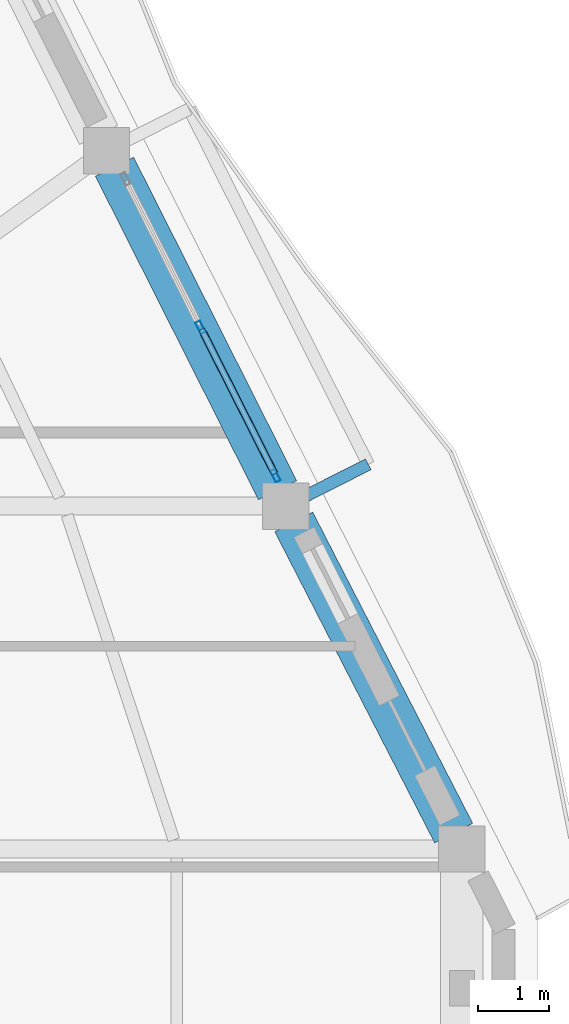
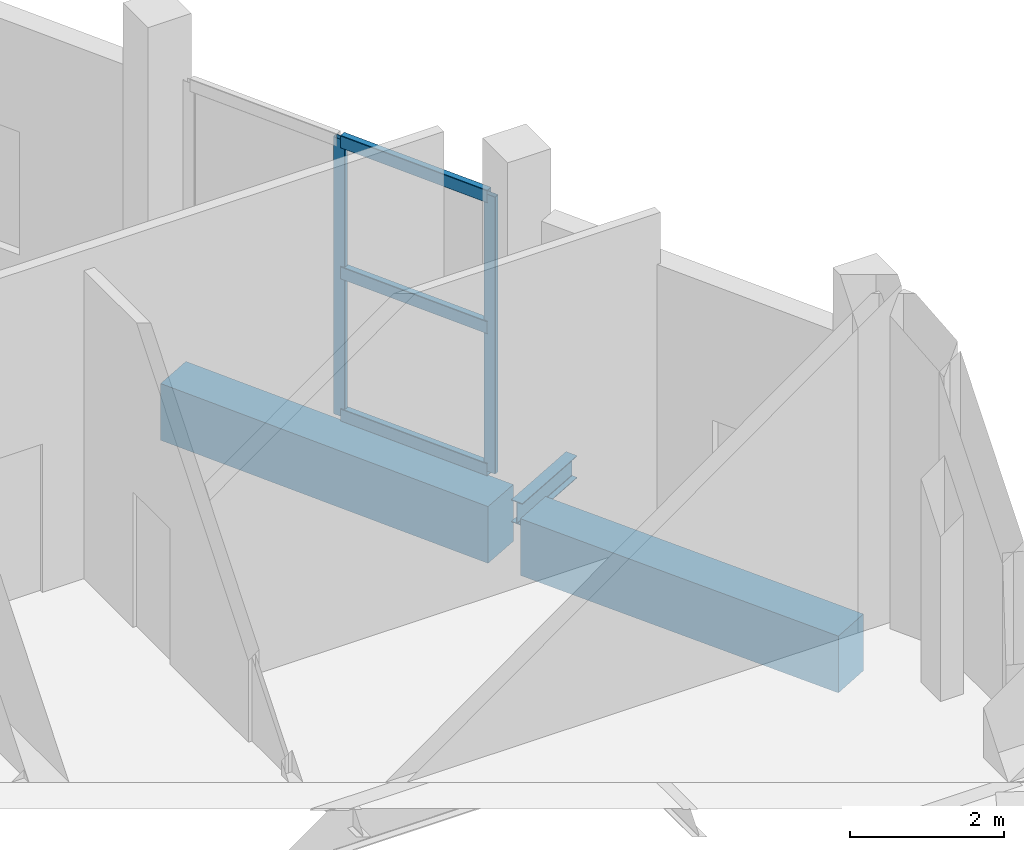
# One storey, part 12 of 23: 5 members, 3 beams, 1 element without a shape of its own.
"""IFC4 building model written with IfcOpenShell, lengths in metres."""

import ifcopenshell
import ifcopenshell.guid

model = None  # the IFC model being written
_history = None  # IfcOwnerHistory: only IFC2X3 demands one
_inside = {}  # id of a spatial element -> (the spatial element, [elements in it])
_under = {}  # id of a project, library or spatial element -> (it, [spatial elements below it])
_declared = {}  # id of a project -> (the project, [libraries it declares])
_typed = {}  # id of a type object -> (the type object, [elements of that type])
_made_of = {}  # id of a material, layer set ... -> (it, [elements and type objects made of it])


def new_model(schema):
    """Start an empty IFC model of exactly this schema.

    Asked for "IFC4X3", IfcOpenShell would pick the latest addendum, in which some entities
    have other attributes; the version numbers below select the first issue.
    IFC2X3 requires an IfcOwnerHistory on every rooted entity: one is made here for all.
    """
    global model, _history
    if schema == "IFC4X3":
        model = ifcopenshell.file(schema_version=(4, 3, 0, 0))
    else:
        model = ifcopenshell.file(schema=schema)
    _inside.clear()
    _under.clear()
    _declared.clear()
    _typed.clear()
    _made_of.clear()
    _history = None
    if model.schema == "IFC2X3":
        org = make("IfcOrganization", Name="unknown")
        user = make(
            "IfcPersonAndOrganization",
            ThePerson=make("IfcPerson", FamilyName="unknown"),
            TheOrganization=org,
        )
        app = make(
            "IfcApplication",
            ApplicationDeveloper=org,
            Version="unknown",
            ApplicationFullName="unknown",
            ApplicationIdentifier="unknown",
        )
        _history = make(
            "IfcOwnerHistory",
            OwningUser=user,
            OwningApplication=app,
            ChangeAction="ADDED",
            CreationDate=0,
        )
    return model


def make(cls, **values):
    """One entity of the class cls with the attributes given. An attribute that is None is left unset."""
    return model.create_entity(
        cls, **{name: value for name, value in values.items() if value is not None}
    )


def rooted(cls, **values):
    """An entity with a GlobalId (a new one), such as an element, a storey or a relation."""
    return make(cls, GlobalId=ifcopenshell.guid.new(), OwnerHistory=_history, **values)


def si_unit(unit_type, name, prefix=None):
    """IfcSIUnit, for example si_unit("LENGTHUNIT", "METRE", prefix="MILLI")."""
    return make("IfcSIUnit", UnitType=unit_type, Prefix=prefix, Name=name)


def assignment(units):
    """IfcUnitAssignment: the units of a project."""
    return None if units is None else make("IfcUnitAssignment", Units=units)


def point(xyz):
    """IfcCartesianPoint."""
    return None if xyz is None else make("IfcCartesianPoint", Coordinates=xyz)


def direction(xyz):
    """IfcDirection."""
    return None if xyz is None else make("IfcDirection", DirectionRatios=xyz)


def frame(location, z_axis=None, x_axis=None):
    """IfcAxis2Placement3D, a coordinate frame: its origin and axes. An axis left out is left unset."""
    return make(
        "IfcAxis2Placement3D",
        Location=point(location),
        Axis=direction(z_axis),
        RefDirection=direction(x_axis),
    )


def frame_2d(location, x_axis=None):
    """IfcAxis2Placement2D, a coordinate frame in the plane: its origin and x axis."""
    return make(
        "IfcAxis2Placement2D", Location=point(location), RefDirection=direction(x_axis)
    )


def origin():
    """The frame at (0, 0, 0) with its axes left unset."""
    return frame((0.0, 0.0, 0.0))


def origin_2d():
    """The frame at (0, 0) in the plane with its x axis left unset."""
    return frame_2d((0.0, 0.0))


def place(relative_to, where):
    """IfcLocalPlacement: puts the frame where relative to a parent placement (None: the world)."""
    return make(
        "IfcLocalPlacement", PlacementRelTo=relative_to, RelativePlacement=where
    )


def context(
    kind, dimensions, precision=None, world=None, true_north=None, identifier=None
):
    """IfcGeometricRepresentationContext, for example the 3D "Model" context."""
    return make(
        "IfcGeometricRepresentationContext",
        ContextIdentifier=identifier,
        ContextType=kind,
        CoordinateSpaceDimension=dimensions,
        Precision=precision,
        WorldCoordinateSystem=world,
        TrueNorth=true_north,
    )


def subcontext(parent, identifier, kind, view, scale=None):
    """IfcGeometricRepresentationSubContext, for example "Body" below "Model"."""
    return make(
        "IfcGeometricRepresentationSubContext",
        ContextIdentifier=identifier,
        ContextType=kind,
        ParentContext=parent,
        TargetScale=scale,
        TargetView=view,
    )


def project(units=None, contexts=None):
    """IfcProject with its units and contexts."""
    return rooted(
        "IfcProject",
        Name="project",
        RepresentationContexts=contexts,
        UnitsInContext=assignment(units),
    )


def spatial(cls, under=None, at=None, **own):
    """A site, building, storey or space (cls), placed at a placement, below another one or the project."""
    s = rooted(cls, ObjectPlacement=at, **own)
    if under is not None:
        _under.setdefault(under.id(), (under, []))[1].append(s)
    return s


def profile(cls, at=None, kind="AREA", **sizes):
    """A parametric profile (cls). Its sizes go by their IFC names, for example OverallWidth=200.0."""
    return make(cls, ProfileType=kind, Position=at, **sizes)


def rectangle(**sizes):
    """IfcRectangleProfileDef."""
    return profile("IfcRectangleProfileDef", **sizes)


def hollow_rectangle(**sizes):
    """IfcRectangleHollowProfileDef."""
    return profile("IfcRectangleHollowProfileDef", **sizes)


def i_section(**sizes):
    """IfcIShapeProfileDef."""
    return profile("IfcIShapeProfileDef", **sizes)


def extrude(swept, where, along, depth):
    """IfcExtrudedAreaSolid: the profile swept, set in the frame where, extruded along a direction by depth."""
    return make(
        "IfcExtrudedAreaSolid",
        SweptArea=swept,
        Position=where,
        ExtrudedDirection=direction(along),
        Depth=depth,
    )


def shape(context_of_items, identifier, shape_type, items):
    """IfcShapeRepresentation: the items that make up one representation, for example the "Body"."""
    return make(
        "IfcShapeRepresentation",
        ContextOfItems=context_of_items,
        RepresentationIdentifier=identifier,
        RepresentationType=shape_type,
        Items=items,
    )


def material(Name=None, Category=None):
    """IfcMaterial."""
    return make("IfcMaterial", Name=Name, Category=Category)


def layer(
    of_material, thickness, ventilated=None, Name=None, Category=None, Priority=None
):
    """IfcMaterialLayer: one layer of a wall or slab, of a material (None: an air gap)."""
    return make(
        "IfcMaterialLayer",
        Material=of_material,
        LayerThickness=thickness,
        IsVentilated=ventilated,
        Name=Name,
        Category=Category,
        Priority=Priority,
    )


def layer_set(layers, Name=None):
    """IfcMaterialLayerSet."""
    return make("IfcMaterialLayerSet", MaterialLayers=layers, LayerSetName=Name)


def material_profile(
    of_material, cross_section, Name=None, Category=None, Priority=None
):
    """IfcMaterialProfile: a cross section and its material."""
    return make(
        "IfcMaterialProfile",
        Name=Name,
        Material=of_material,
        Profile=cross_section,
        Priority=Priority,
        Category=Category,
    )


def profile_set(profiles, Name=None, composite=None):
    """IfcMaterialProfileSet."""
    return make(
        "IfcMaterialProfileSet",
        Name=Name,
        MaterialProfiles=profiles,
        CompositeProfile=composite,
    )


def made_of(thing, what):
    """Note that an element or type object is made of a material, layer set ...; save() writes the relation."""
    if what is not None:
        _made_of.setdefault(what.id(), (what, []))[1].append(thing)
    return thing


def type_object(cls, material=None, **own):
    """A type object (cls), such as IfcWallType, which elements share."""
    return made_of(rooted(cls, **own), material)


def element(
    cls,
    number,
    at=None,
    inside=None,
    cuts=None,
    type_object=None,
    material=None,
    context=None,
    identifier="Body",
    shape_type=None,
    held_by="IfcProductDefinitionShape",
    body=None,
    shapes=None,
    **own,
):
    """One element of the class cls, such as IfcWall. Its Tag is "e" and its number.

    at: its placement. inside: the storey or other place that contains it. cuts: it is an
    opening in that element (IfcRelVoidsElement). A single representation is given by context,
    identifier, shape_type and body (its items); several are given by shapes. held_by: the class
    of the entity that holds the representations. save() writes the other relations.
    """
    e = rooted(cls, Tag="e%d" % number, ObjectPlacement=at, **own)
    if body is not None:
        shapes = [shape(context, identifier, shape_type, body)]
    if shapes is not None:
        e.Representation = make(held_by, Representations=shapes)
    if inside is not None:
        _inside.setdefault(inside.id(), (inside, []))[1].append(e)
    if cuts is not None:
        rooted(
            "IfcRelVoidsElement", RelatingBuildingElement=cuts, RelatedOpeningElement=e
        )
    if type_object is not None:
        _typed.setdefault(type_object.id(), (type_object, []))[1].append(e)
    return made_of(e, material)


def aggregate(whole, parts):
    """IfcRelAggregates: a whole, such as a stair, and the parts it consists of."""
    return rooted("IfcRelAggregates", RelatingObject=whole, RelatedObjects=parts)


def save(model, path):
    """Write the relations noted so far, then the file.

    IfcRelAggregates (storeys below a building ...), IfcRelContainedInSpatialStructure (elements
    in a storey), IfcRelDefinesByType, IfcRelAssociatesMaterial and IfcRelDeclares: one each for
    every whole, place, type object, material and project.
    """
    for whole, parts in _under.values():
        aggregate(whole, parts)
    for where, things in _inside.values():
        rooted(
            "IfcRelContainedInSpatialStructure",
            RelatedElements=things,
            RelatingStructure=where,
        )
    for kind, things in _typed.values():
        rooted("IfcRelDefinesByType", RelatedObjects=things, RelatingType=kind)
    for what, things in _made_of.values():
        rooted("IfcRelAssociatesMaterial", RelatedObjects=things, RelatingMaterial=what)
    for by, libraries in _declared.values():
        rooted("IfcRelDeclares", RelatingContext=by, RelatedDefinitions=libraries)
    model.write(path)


model = new_model("IFC4")

# Units and contexts
model_context = context("Model", 3, precision=1e-05, world=origin(), true_north=direction((0.0, 1.0)))
body_context = subcontext(model_context, "Body", "Model", "MODEL_VIEW")
ifc_project = project(units=[si_unit("LENGTHUNIT", "METRE"), si_unit("AREAUNIT", "SQUARE_METRE"), si_unit("VOLUMEUNIT", "CUBIC_METRE"), si_unit("PLANEANGLEUNIT", "RADIAN"), si_unit("MASSUNIT", "GRAM", prefix="KILO")], contexts=[model_context])

# Site, building, storey
site_placement = place(None, origin())
site = spatial("IfcSite", under=ifc_project, at=site_placement, CompositionType="ELEMENT")
building_placement = place(site_placement, origin())
building = spatial("IfcBuilding", under=site, at=building_placement, Name="Cinnabar Lancet Tower", CompositionType="ELEMENT")
storey_placement = place(building_placement, frame((0.0, 0.0, 278.10009765625)))
storey = spatial("IfcBuildingStorey", under=building, at=storey_placement, Name="L74", CompositionType="ELEMENT", Elevation=278.10009765625)

# Curtain wall, members
ifc_material_1 = material(Name="Thermally broken bronze-anodized aluminium and low-E glass", Category="aluminium")
ifc_layer = layer(ifc_material_1, 0.179931640625)
ifc_layer_set = layer_set([ifc_layer], Name="Thermally broken bronze-anodized aluminium and low-E glass")
curtain_wall_type = type_object("IfcCurtainWallType", Name="ENV-CW-SYS-04", PredefinedType="NOTDEFINED", material=ifc_layer_set)
curtain_wall_placement = place(storey_placement, origin())
curtain_wall = element("IfcCurtainWall", 1, at=curtain_wall_placement, inside=storey, type_object=curtain_wall_type, Name="L74 Face 3 Feature Curtain Wall", PredefinedType="NOTDEFINED")
ifc_material_2 = material(Name="Anodized architectural aluminium 6063-T6", Category="aluminium")
ifc_material_profile_1 = material_profile(ifc_material_2, hollow_rectangle(XDim=0.074951171875, YDim=0.179931640625, WallThickness=0.00390625, InnerFilletRadius=0.001953125, OuterFilletRadius=0.006103515625, at=origin_2d()), Name="CW-MUL 180x75x4")
ifc_profile_set_1 = profile_set([ifc_material_profile_1], Name="Anodized architectural aluminium 6063-T6")
member_type_1 = type_object("IfcMemberType", Name="ENV-CW-MUL-180", PredefinedType="MULLION", material=ifc_profile_set_1)
member_1_placement = place(storey_placement, frame((50.12255859375, 32.994873046875, 0.0), z_axis=(0.0, 0.0, 1.0), x_axis=(-0.892344822897, -0.451354314314, 0.0)))
member_1 = element("IfcMember", 2, at=member_1_placement, type_object=member_type_1, Name="CW-04 mullion 1", PredefinedType="MULLION", context=body_context, shape_type="SweptSolid", body=[
    extrude(hollow_rectangle(XDim=0.074951171875, YDim=0.179931640625, WallThickness=0.00390625, InnerFilletRadius=0.001953125, OuterFilletRadius=0.006103515625, at=origin_2d()), origin(), (0.0, 0.0, 1.0), 4.389892578125),
])
member_2_placement = place(storey_placement, frame((49.069091796875, 35.077392578125, 0.0), z_axis=(0.0, 0.0, 1.0), x_axis=(-0.892344822897, -0.451354314314, 0.0)))
member_2 = element("IfcMember", 3, at=member_2_placement, type_object=member_type_1, Name="CW-04 mullion 2", PredefinedType="MULLION", context=body_context, shape_type="SweptSolid", body=[
    extrude(hollow_rectangle(XDim=0.074951171875, YDim=0.179931640625, WallThickness=0.00390625, InnerFilletRadius=0.001953125, OuterFilletRadius=0.006103515625, at=origin_2d()), origin(), (0.0, 0.0, 1.0), 4.389892578125),
])
ifc_material_3 = material(Name="Anodized architectural aluminium 6063-T6", Category="aluminium")
ifc_material_profile_2 = material_profile(ifc_material_3, hollow_rectangle(XDim=0.10009765625, YDim=0.199951171875, WallThickness=0.008056640625, InnerFilletRadius=0.00390625, OuterFilletRadius=0.011962890625, at=origin_2d()), Name="RHS 200x100x8")
ifc_profile_set_2 = profile_set([ifc_material_profile_2], Name="Anodized architectural aluminium 6063-T6")
member_type_2 = type_object("IfcMemberType", Name="ENV-CW-TRN-140", PredefinedType="USERDEFINED", material=ifc_profile_set_2)
member_3_placement = place(storey_placement, frame((50.10888671875, 33.021484375, 0.02978515625), z_axis=(-0.451331377237, 0.892356424262, 0.0), x_axis=(-0.892356424262, -0.451331377237, 0.0)))
member_3 = element("IfcMember", 4, at=member_3_placement, type_object=member_type_2, Name="CW-04 transom 1.1", ObjectType="TRANSOM", PredefinedType="USERDEFINED", context=body_context, shape_type="SweptSolid", body=[
    extrude(hollow_rectangle(XDim=0.10009765625, YDim=0.199951171875, WallThickness=0.008056640625, InnerFilletRadius=0.00390625, OuterFilletRadius=0.011962890625, at=origin_2d()), origin(), (0.0, 0.0, 1.0), 2.274169921875),
])
member_4_placement = place(storey_placement, frame((50.10888671875, 33.021484375, 2.282958984375), z_axis=(-0.451331377237, 0.892356424262, 0.0), x_axis=(-0.892356424262, -0.451331377237, 0.0)))
member_4 = element("IfcMember", 5, at=member_4_placement, type_object=member_type_2, Name="CW-04 transom 1.2", ObjectType="TRANSOM", PredefinedType="USERDEFINED", context=body_context, shape_type="SweptSolid", body=[
    extrude(hollow_rectangle(XDim=0.10009765625, YDim=0.199951171875, WallThickness=0.008056640625, InnerFilletRadius=0.00390625, OuterFilletRadius=0.011962890625, at=origin_2d()), origin(), (0.0, 0.0, 1.0), 2.274169921875),
])
member_5_placement = place(storey_placement, frame((50.10888671875, 33.021484375, 4.35986328125), z_axis=(-0.451331377237, 0.892356424262, 0.0), x_axis=(-0.892356424262, -0.451331377237, 0.0)))
member_5 = element("IfcMember", 6, at=member_5_placement, type_object=member_type_2, Name="CW-04 transom 1.3", ObjectType="TRANSOM", PredefinedType="USERDEFINED", context=body_context, shape_type="SweptSolid", body=[
    extrude(hollow_rectangle(XDim=0.10009765625, YDim=0.199951171875, WallThickness=0.008056640625, InnerFilletRadius=0.00390625, OuterFilletRadius=0.011962890625, at=origin_2d()), origin(), (0.0, 0.0, 1.0), 2.274169921875),
])
aggregate(curtain_wall, [member_1, member_2, member_3, member_4, member_5])

# Beams
ifc_material_4 = material(Name="Concrete C60/75", Category="concrete")
ifc_material_profile_3 = material_profile(ifc_material_4, rectangle(XDim=0.60009765625, YDim=0.89990234375, at=origin_2d()), Name="RC-SB 600x900")
ifc_profile_set_3 = profile_set([ifc_material_profile_3], Name="Concrete C60/75")
beam_type_1 = type_object("IfcBeamType", Name="STR-BM-RCSB-900", PredefinedType="SPANDREL", material=ifc_profile_set_3)
beam_1_placement = place(storey_placement, frame((52.623046875, 27.97705078125, -0.72998046875), z_axis=(-0.457148063427, 0.889390604912, 0.0), x_axis=(-0.889390604912, -0.457148063427, 0.0)))
element("IfcBeam", 7, at=beam_1_placement, inside=storey, type_object=beam_type_1, Name="L74 Perimeter Spandrel 9", PredefinedType="SPANDREL", context=body_context, shape_type="SweptSolid", body=[
    extrude(rectangle(XDim=0.60009765625, YDim=0.89990234375, at=origin_2d()), origin(), (0.0, 0.0, 1.0), 4.9111328125),
])
beam_2_placement = place(storey_placement, frame((50.15087890625, 32.7900390625, -0.72998046875), z_axis=(-0.450091864122, 0.892982258419, 0.0), x_axis=(-0.892982258419, -0.450091864122, 0.0)))
element("IfcBeam", 8, at=beam_2_placement, inside=storey, type_object=beam_type_1, Name="L74 Perimeter Spandrel 10", PredefinedType="SPANDREL", context=body_context, shape_type="SweptSolid", body=[
    extrude(rectangle(XDim=0.60009765625, YDim=0.89990234375, at=origin_2d()), origin(), (0.0, 0.0, 1.0), 5.085205078125),
])
ifc_material_5 = material(Name="Structural steel S355", Category="steel")
ifc_material_profile_4 = material_profile(ifc_material_5, i_section(OverallWidth=0.17138671875, OverallDepth=0.35498046875, WebThickness=0.00732421875, FlangeThickness=0.011474609375, FilletRadius=0.01025390625, at=origin_2d()), Name="UKB 356x171x51")
ifc_profile_set_4 = profile_set([ifc_material_profile_4], Name="Structural steel S355")
beam_type_2 = type_object("IfcBeamType", Name="STR-BM-WAV-OUT", PredefinedType="BEAM", material=ifc_profile_set_4)
beam_3_placement = place(storey_placement, frame((50.263916015625, 32.56689453125, -0.4580078125), z_axis=(0.892238560088, 0.451564338597, 0.0), x_axis=(-0.451564338597, 0.892238560088, 0.0)))
element("IfcBeam", 9, at=beam_3_placement, inside=storey, type_object=beam_type_2, Name="L74 Face 3 Balcony Outlooker A", PredefinedType="BEAM", context=body_context, shape_type="SweptSolid", body=[
    extrude(i_section(OverallWidth=0.17138671875, OverallDepth=0.35498046875, WebThickness=0.00732421875, FlangeThickness=0.011474609375, FilletRadius=0.01025390625, at=origin_2d()), origin(), (0.0, 0.0, 1.0), 1.30029296875),
])

save(model, "model.ifc")
